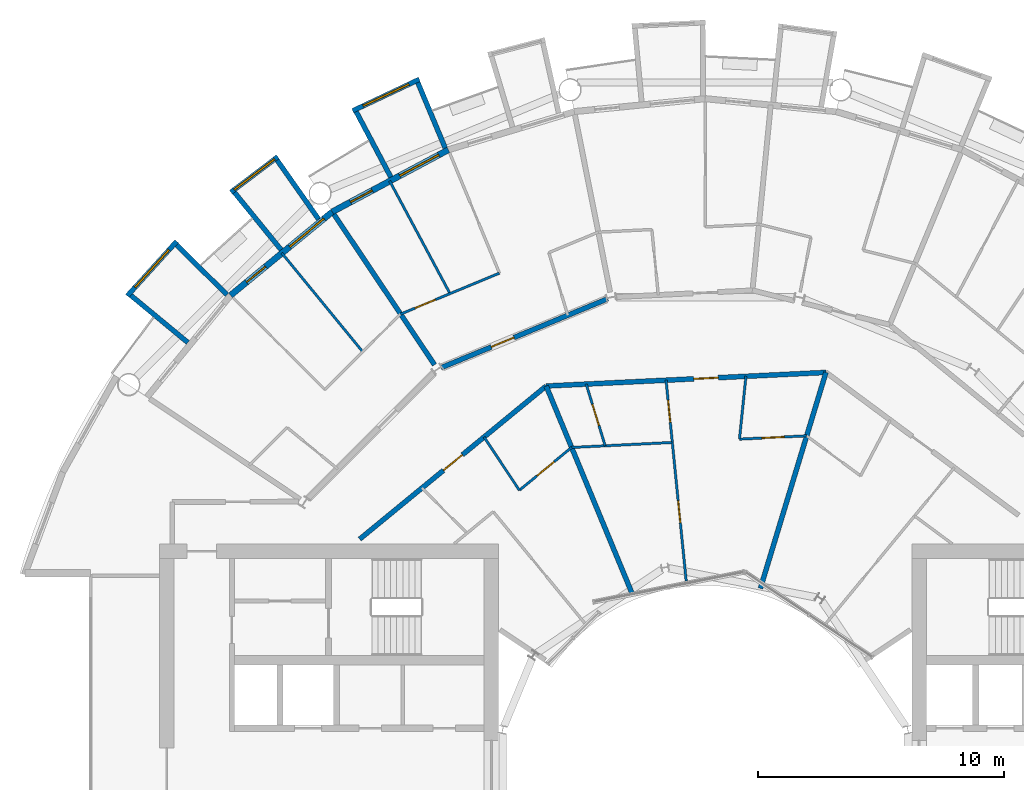
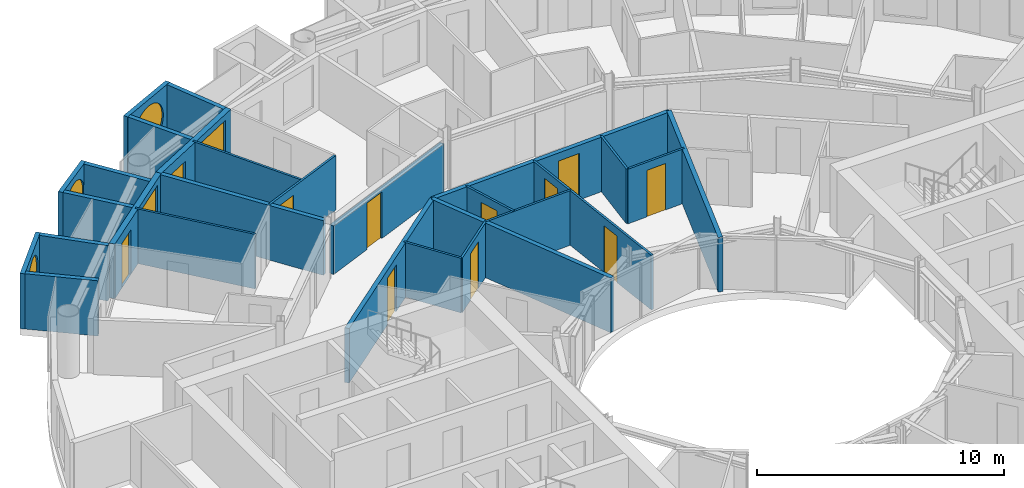
# One storey, part 20 of 27: 27 walls, 11 doors, 5 windows, 16 openings.
"""IFC4 building model written with IfcOpenShell, lengths in metres."""

import ifcopenshell
import ifcopenshell.guid

model = None  # the IFC model being written
_history = None  # IfcOwnerHistory: only IFC2X3 demands one
_inside = {}  # id of a spatial element -> (the spatial element, [elements in it])
_under = {}  # id of a project, library or spatial element -> (it, [spatial elements below it])
_declared = {}  # id of a project -> (the project, [libraries it declares])
_typed = {}  # id of a type object -> (the type object, [elements of that type])
_made_of = {}  # id of a material, layer set ... -> (it, [elements and type objects made of it])


def new_model(schema):
    """Start an empty IFC model of exactly this schema.

    Asked for "IFC4X3", IfcOpenShell would pick the latest addendum, in which some entities
    have other attributes; the version numbers below select the first issue.
    IFC2X3 requires an IfcOwnerHistory on every rooted entity: one is made here for all.
    """
    global model, _history
    if schema == "IFC4X3":
        model = ifcopenshell.file(schema_version=(4, 3, 0, 0))
    else:
        model = ifcopenshell.file(schema=schema)
    _inside.clear()
    _under.clear()
    _declared.clear()
    _typed.clear()
    _made_of.clear()
    _history = None
    if model.schema == "IFC2X3":
        org = make("IfcOrganization", Name="unknown")
        user = make(
            "IfcPersonAndOrganization",
            ThePerson=make("IfcPerson", FamilyName="unknown"),
            TheOrganization=org,
        )
        app = make(
            "IfcApplication",
            ApplicationDeveloper=org,
            Version="unknown",
            ApplicationFullName="unknown",
            ApplicationIdentifier="unknown",
        )
        _history = make(
            "IfcOwnerHistory",
            OwningUser=user,
            OwningApplication=app,
            ChangeAction="ADDED",
            CreationDate=0,
        )
    return model


def make(cls, **values):
    """One entity of the class cls with the attributes given. An attribute that is None is left unset."""
    return model.create_entity(
        cls, **{name: value for name, value in values.items() if value is not None}
    )


def rooted(cls, **values):
    """An entity with a GlobalId (a new one), such as an element, a storey or a relation."""
    return make(cls, GlobalId=ifcopenshell.guid.new(), OwnerHistory=_history, **values)


def si_unit(unit_type, name, prefix=None):
    """IfcSIUnit, for example si_unit("LENGTHUNIT", "METRE", prefix="MILLI")."""
    return make("IfcSIUnit", UnitType=unit_type, Prefix=prefix, Name=name)


def assignment(units):
    """IfcUnitAssignment: the units of a project."""
    return None if units is None else make("IfcUnitAssignment", Units=units)


def point(xyz):
    """IfcCartesianPoint."""
    return None if xyz is None else make("IfcCartesianPoint", Coordinates=xyz)


def direction(xyz):
    """IfcDirection."""
    return None if xyz is None else make("IfcDirection", DirectionRatios=xyz)


def frame(location, z_axis=None, x_axis=None):
    """IfcAxis2Placement3D, a coordinate frame: its origin and axes. An axis left out is left unset."""
    return make(
        "IfcAxis2Placement3D",
        Location=point(location),
        Axis=direction(z_axis),
        RefDirection=direction(x_axis),
    )


def frame_2d(location, x_axis=None):
    """IfcAxis2Placement2D, a coordinate frame in the plane: its origin and x axis."""
    return make(
        "IfcAxis2Placement2D", Location=point(location), RefDirection=direction(x_axis)
    )


def origin():
    """The frame at (0, 0, 0) with its axes left unset."""
    return frame((0.0, 0.0, 0.0))


def place(relative_to, where):
    """IfcLocalPlacement: puts the frame where relative to a parent placement (None: the world)."""
    return make(
        "IfcLocalPlacement", PlacementRelTo=relative_to, RelativePlacement=where
    )


def context(
    kind, dimensions, precision=None, world=None, true_north=None, identifier=None
):
    """IfcGeometricRepresentationContext, for example the 3D "Model" context."""
    return make(
        "IfcGeometricRepresentationContext",
        ContextIdentifier=identifier,
        ContextType=kind,
        CoordinateSpaceDimension=dimensions,
        Precision=precision,
        WorldCoordinateSystem=world,
        TrueNorth=true_north,
    )


def subcontext(parent, identifier, kind, view, scale=None):
    """IfcGeometricRepresentationSubContext, for example "Body" below "Model"."""
    return make(
        "IfcGeometricRepresentationSubContext",
        ContextIdentifier=identifier,
        ContextType=kind,
        ParentContext=parent,
        TargetScale=scale,
        TargetView=view,
    )


def project(units=None, contexts=None):
    """IfcProject with its units and contexts."""
    return rooted(
        "IfcProject",
        Name="project",
        RepresentationContexts=contexts,
        UnitsInContext=assignment(units),
    )


def spatial(cls, under=None, at=None, **own):
    """A site, building, storey or space (cls), placed at a placement, below another one or the project."""
    s = rooted(cls, ObjectPlacement=at, **own)
    if under is not None:
        _under.setdefault(under.id(), (under, []))[1].append(s)
    return s


def profile(cls, at=None, kind="AREA", **sizes):
    """A parametric profile (cls). Its sizes go by their IFC names, for example OverallWidth=200.0."""
    return make(cls, ProfileType=kind, Position=at, **sizes)


def rectangle(**sizes):
    """IfcRectangleProfileDef."""
    return profile("IfcRectangleProfileDef", **sizes)


def circle(**sizes):
    """IfcCircleProfileDef."""
    return profile("IfcCircleProfileDef", **sizes)


def extrude(swept, where, along, depth):
    """IfcExtrudedAreaSolid: the profile swept, set in the frame where, extruded along a direction by depth."""
    return make(
        "IfcExtrudedAreaSolid",
        SweptArea=swept,
        Position=where,
        ExtrudedDirection=direction(along),
        Depth=depth,
    )


def shape(context_of_items, identifier, shape_type, items):
    """IfcShapeRepresentation: the items that make up one representation, for example the "Body"."""
    return make(
        "IfcShapeRepresentation",
        ContextOfItems=context_of_items,
        RepresentationIdentifier=identifier,
        RepresentationType=shape_type,
        Items=items,
    )


def material(Name=None, Category=None):
    """IfcMaterial."""
    return make("IfcMaterial", Name=Name, Category=Category)


def layer(
    of_material, thickness, ventilated=None, Name=None, Category=None, Priority=None
):
    """IfcMaterialLayer: one layer of a wall or slab, of a material (None: an air gap)."""
    return make(
        "IfcMaterialLayer",
        Material=of_material,
        LayerThickness=thickness,
        IsVentilated=ventilated,
        Name=Name,
        Category=Category,
        Priority=Priority,
    )


def layer_set(layers, Name=None):
    """IfcMaterialLayerSet."""
    return make("IfcMaterialLayerSet", MaterialLayers=layers, LayerSetName=Name)


def made_of(thing, what):
    """Note that an element or type object is made of a material, layer set ...; save() writes the relation."""
    if what is not None:
        _made_of.setdefault(what.id(), (what, []))[1].append(thing)
    return thing


def type_object(cls, material=None, **own):
    """A type object (cls), such as IfcWallType, which elements share."""
    return made_of(rooted(cls, **own), material)


def element(
    cls,
    number,
    at=None,
    inside=None,
    cuts=None,
    type_object=None,
    material=None,
    context=None,
    identifier="Body",
    shape_type=None,
    held_by="IfcProductDefinitionShape",
    body=None,
    shapes=None,
    **own,
):
    """One element of the class cls, such as IfcWall. Its Tag is "e" and its number.

    at: its placement. inside: the storey or other place that contains it. cuts: it is an
    opening in that element (IfcRelVoidsElement). A single representation is given by context,
    identifier, shape_type and body (its items); several are given by shapes. held_by: the class
    of the entity that holds the representations. save() writes the other relations.
    """
    e = rooted(cls, Tag="e%d" % number, ObjectPlacement=at, **own)
    if body is not None:
        shapes = [shape(context, identifier, shape_type, body)]
    if shapes is not None:
        e.Representation = make(held_by, Representations=shapes)
    if inside is not None:
        _inside.setdefault(inside.id(), (inside, []))[1].append(e)
    if cuts is not None:
        rooted(
            "IfcRelVoidsElement", RelatingBuildingElement=cuts, RelatedOpeningElement=e
        )
    if type_object is not None:
        _typed.setdefault(type_object.id(), (type_object, []))[1].append(e)
    return made_of(e, material)


def fill(opening, filler):
    """IfcRelFillsElement: the door or window that sits in an opening."""
    return rooted(
        "IfcRelFillsElement",
        RelatingOpeningElement=opening,
        RelatedBuildingElement=filler,
    )


def aggregate(whole, parts):
    """IfcRelAggregates: a whole, such as a stair, and the parts it consists of."""
    return rooted("IfcRelAggregates", RelatingObject=whole, RelatedObjects=parts)


def save(model, path):
    """Write the relations noted so far, then the file.

    IfcRelAggregates (storeys below a building ...), IfcRelContainedInSpatialStructure (elements
    in a storey), IfcRelDefinesByType, IfcRelAssociatesMaterial and IfcRelDeclares: one each for
    every whole, place, type object, material and project.
    """
    for whole, parts in _under.values():
        aggregate(whole, parts)
    for where, things in _inside.values():
        rooted(
            "IfcRelContainedInSpatialStructure",
            RelatedElements=things,
            RelatingStructure=where,
        )
    for kind, things in _typed.values():
        rooted("IfcRelDefinesByType", RelatedObjects=things, RelatingType=kind)
    for what, things in _made_of.values():
        rooted("IfcRelAssociatesMaterial", RelatedObjects=things, RelatingMaterial=what)
    for by, libraries in _declared.values():
        rooted("IfcRelDeclares", RelatingContext=by, RelatedDefinitions=libraries)
    model.write(path)


model = new_model("IFC4")

# Units and contexts
model_context = context("Model", 3, precision=1e-05, world=origin(), true_north=direction((0.0, 1.0)))
body_context = subcontext(model_context, "Body", "Model", "MODEL_VIEW")
ifc_project = project(units=[si_unit("LENGTHUNIT", "METRE"), si_unit("AREAUNIT", "SQUARE_METRE"), si_unit("VOLUMEUNIT", "CUBIC_METRE"), si_unit("PLANEANGLEUNIT", "RADIAN"), si_unit("MASSUNIT", "GRAM", prefix="KILO")], contexts=[model_context])

# Site, building, storey
site_placement = place(None, origin())
site = spatial("IfcSite", under=ifc_project, at=site_placement, CompositionType="ELEMENT")
building_placement = place(site_placement, origin())
building = spatial("IfcBuilding", under=site, at=building_placement, Name="Maasbend Ring Residences", CompositionType="ELEMENT")
storey_placement = place(building_placement, frame((0.0, 0.0, 114.699951171875)))
storey = spatial("IfcBuildingStorey", under=building, at=storey_placement, Name="L32", CompositionType="ELEMENT", Elevation=114.699951171875)

# Wall, opening, door
ifc_material_1 = material(Name="Concrete C30/37", Category="concrete")
ifc_layer_1 = layer(ifc_material_1, 0.199951171875)
ifc_layer_set_1 = layer_set([ifc_layer_1], Name="Concrete C30/37")
wall_type_1 = type_object("IfcWallType", Name="CORRIDOR WALL 200 CONCRETE", PredefinedType="PARTITIONING", material=ifc_layer_set_1)
wall_1_placement = place(storey_placement, frame((-6.467041015625, 15.614013671875, 0.0), z_axis=(0.0, 0.0, 1.0), x_axis=(0.998821060576, 0.048543680847, 0.0)))
wall_1 = element("IfcWall", 1, at=wall_1_placement, inside=storey, type_object=wall_type_1, Name="U-L32-w096", PredefinedType="PARTITIONING", context=body_context, shape_type="SweptSolid", body=[
    extrude(rectangle(XDim=11.391357421875, YDim=0.199951171875, at=frame_2d((5.69580078125, 0.0))), origin(), (0.0, 0.0, 1.0), 2.699951171875),
])
opening_1_placement = place(wall_1_placement, frame((6.007080078125, 0.0, 0.0)))
opening_1 = element("IfcOpeningElement", 2, at=opening_1_placement, cuts=wall_1, Name="Opening D-3225", PredefinedType="OPENING", context=body_context, shape_type="SweptSolid", body=[
    extrude(rectangle(XDim=1.0, YDim=2.300048828125, at=frame_2d((0.5, 1.14990234375))), frame((0.0, 0.10986328125, 0.0), z_axis=(0.0, -1.0, 0.0), x_axis=(1.0, 0.0, 0.0)), (0.0, 0.0, 1.0), 0.219970703125),
])
ifc_material_2 = material(Name="Timber, fire-rated, painted", Category="wood")
door_type_1 = type_object("IfcDoorType", Name="FLAT ENTRANCE DOOR 1000 X 2300 FIRE-RATED", OperationType="NOTDEFINED", PredefinedType="DOOR", material=ifc_material_2)
door_1_placement = place(opening_1_placement, origin())
door_1 = element("IfcDoor", 3, at=door_1_placement, inside=storey, type_object=door_type_1, Name="D-3225", OperationType="SINGLE_SWING_RIGHT", OverallHeight=2.300048828125, OverallWidth=1.0, PredefinedType="DOOR", context=body_context, shape_type="SweptSolid", body=[
    extrude(rectangle(XDim=1.0, YDim=2.300048828125, at=frame_2d((0.5, 1.14990234375))), frame((0.0, 0.02490234375, 0.0), z_axis=(0.0, -1.0, 0.0), x_axis=(1.0, 0.0, 0.0)), (0.0, 0.0, 1.0), 0.050048828125),
])
fill(opening_1, door_1)

wall_2_placement = place(storey_placement, frame((-14.052001953125, 9.388916015625, 0.0), z_axis=(0.0, 0.0, 1.0), x_axis=(0.77292501819, 0.634497372931, 0.0)))
wall_2 = element("IfcWall", 4, at=wall_2_placement, inside=storey, type_object=wall_type_1, Name="U-L32-w098", PredefinedType="PARTITIONING", context=body_context, shape_type="SweptSolid", body=[
    extrude(rectangle(XDim=9.8095703125, YDim=0.199951171875, at=frame_2d((4.90478515625, 0.0))), origin(), (0.0, 0.0, 1.0), 2.699951171875),
])
opening_2_placement = place(wall_2_placement, frame((4.406005859375, 0.0, 0.0)))
opening_2 = element("IfcOpeningElement", 5, at=opening_2_placement, cuts=wall_2, Name="Opening D-3230", PredefinedType="OPENING", context=body_context, shape_type="SweptSolid", body=[
    extrude(rectangle(XDim=1.0, YDim=2.300048828125, at=frame_2d((0.5, 1.14990234375))), frame((0.0, 0.10986328125, 0.0), z_axis=(0.0, -1.0, 0.0), x_axis=(1.0, 0.0, 0.0)), (0.0, 0.0, 1.0), 0.219970703125),
])
door_2_placement = place(opening_2_placement, origin())
door_2 = element("IfcDoor", 6, at=door_2_placement, inside=storey, type_object=door_type_1, Name="D-3230", OperationType="SINGLE_SWING_RIGHT", OverallHeight=2.300048828125, OverallWidth=1.0, PredefinedType="DOOR", context=body_context, shape_type="SweptSolid", body=[
    extrude(rectangle(XDim=1.0, YDim=2.300048828125, at=frame_2d((0.5, 1.14990234375))), frame((0.0, 0.02490234375, 0.0), z_axis=(0.0, -1.0, 0.0), x_axis=(1.0, 0.0, 0.0)), (0.0, 0.0, 1.0), 0.050048828125),
])
fill(opening_2, door_2)

wall_3_placement = place(storey_placement, frame((-10.7451171875, 16.35693359375, 0.0), z_axis=(0.0, 0.0, 1.0), x_axis=(0.923928411035, 0.382565407848, 0.0)))
wall_3 = element("IfcWall", 7, at=wall_3_placement, inside=storey, type_object=wall_type_1, Name="U-L32-w101", PredefinedType="PARTITIONING", context=body_context, shape_type="SweptSolid", body=[
    extrude(rectangle(XDim=7.335205078125, YDim=0.199951171875, at=frame_2d((3.66748046875, 0.0))), origin(), (0.0, 0.0, 1.0), 2.39013671875),
])
opening_3_placement = place(wall_3_placement, frame((2.2119140625, 0.0, 0.0)))
opening_3 = element("IfcOpeningElement", 8, at=opening_3_placement, cuts=wall_3, Name="Opening D-3213", PredefinedType="OPENING", context=body_context, shape_type="SweptSolid", body=[
    extrude(rectangle(XDim=1.0, YDim=2.300048828125, at=frame_2d((0.5, 1.14990234375))), frame((0.0, 0.10986328125, 0.0), z_axis=(0.0, -1.0, 0.0), x_axis=(1.0, 0.0, 0.0)), (0.0, 0.0, 1.0), 0.219970703125),
])
door_3_placement = place(opening_3_placement, origin())
door_3 = element("IfcDoor", 9, at=door_3_placement, inside=storey, type_object=door_type_1, Name="D-3213", OperationType="SINGLE_SWING_LEFT", OverallHeight=2.300048828125, OverallWidth=1.0, PredefinedType="DOOR", context=body_context, shape_type="SweptSolid", body=[
    extrude(rectangle(XDim=1.0, YDim=2.300048828125, at=frame_2d((0.5, 1.14990234375))), frame((0.0, 0.02490234375, 0.0), z_axis=(0.0, -1.0, 0.0), x_axis=(1.0, 0.0, 0.0)), (0.0, 0.0, 1.0), 0.050048828125),
])
fill(opening_3, door_3)

# Wall, opening, window
ifc_material_3 = material(Name="Pale anodised aluminium panel", Category="aluminium")
ifc_layer_2 = layer(ifc_material_3, 0.199951171875)
ifc_layer_set_2 = layer_set([ifc_layer_2], Name="EW-BOX")
wall_type_2 = type_object("IfcWallType", Name="EW-BOX", PredefinedType="SOLIDWALL", material=ifc_layer_set_2)
wall_4_placement = place(storey_placement, frame((-11.62890625, 28.087890625, -0.030029296875), z_axis=(0.0, 0.0, 1.0), x_axis=(-0.904000060331, -0.427532327342, 0.0)))
wall_4 = element("IfcWall", 10, at=wall_4_placement, inside=storey, type_object=wall_type_2, Name="Box front N15", PredefinedType="SOLIDWALL", context=body_context, shape_type="SweptSolid", body=[
    extrude(rectangle(XDim=2.993408203125, YDim=0.199951171875, at=frame_2d((1.49658203125, 0.0))), origin(), (0.0, 0.0, 1.0), 2.72998046875),
])
opening_4_placement = place(wall_4_placement, frame((0.45654296875, 0.0, 0.330078125)))
opening_4 = element("IfcOpeningElement", 11, at=opening_4_placement, cuts=wall_4, Name="Opening W-RD", PredefinedType="OPENING", context=body_context, shape_type="SweptSolid", body=[
    extrude(circle(Radius=1.0400390625, at=frame_2d((1.0400390625, 1.0400390625))), frame((0.0, 0.10986328125, 0.0), z_axis=(0.0, -1.0, 0.0), x_axis=(1.0, 0.0, 0.0)), (0.0, 0.0, 1.0), 0.219970703125),
])
ifc_material_4 = material(Name="Aluminium and clear glass", Category="aluminium")
window_type_1 = type_object("IfcWindowType", Name="W-RD", PartitioningType="SINGLE_PANEL", PredefinedType="WINDOW", material=ifc_material_4)
window_1_placement = place(opening_4_placement, origin())
window_1 = element("IfcWindow", 12, at=window_1_placement, inside=storey, type_object=window_type_1, Name="Round window N15", OverallHeight=2.080078125, OverallWidth=2.080078125, PartitioningType="SINGLE_PANEL", PredefinedType="WINDOW", context=body_context, shape_type="SweptSolid", body=[
    extrude(circle(Radius=1.0400390625, at=frame_2d((1.0400390625, 1.0400390625))), frame((0.0, 0.030029296875, 0.0), z_axis=(0.0, -1.0, 0.0), x_axis=(1.0, 0.0, 0.0)), (0.0, 0.0, 1.0), 0.06005859375),
])
fill(opening_4, window_1)

# Walls
wall_5_placement = place(storey_placement, frame((-10.574951171875, 25.294921875, -0.030029296875), z_axis=(0.0, 0.0, 1.0), x_axis=(-0.385697364644, 0.922625353492, 0.0)))
element("IfcWall", 13, at=wall_5_placement, inside=storey, type_object=wall_type_2, Name="Box side wall N15 left", PredefinedType="SOLIDWALL", context=body_context, shape_type="SweptSolid", body=[
    extrude(rectangle(XDim=2.88330078125, YDim=0.199951171875, at=frame_2d((1.441650390625, 0.0))), origin(), (0.0, 0.0, 1.0), 2.72998046875),
])
wall_6_placement = place(storey_placement, frame((-12.787109375, 24.113037109375, -0.030029296875), z_axis=(0.0, 0.0, 1.0), x_axis=(-0.468365282436, 0.883534924159, 0.0)))
element("IfcWall", 14, at=wall_6_placement, inside=storey, type_object=wall_type_2, Name="Box side wall N15 right", PredefinedType="SOLIDWALL", context=body_context, shape_type="SweptSolid", body=[
    extrude(rectangle(XDim=3.006103515625, YDim=0.199951171875, at=frame_2d((1.5029296875, 0.0))), origin(), (0.0, 0.0, 1.0), 2.72998046875),
])

# Wall, opening, window
wall_7_placement = place(storey_placement, frame((-17.382080078125, 24.93994140625, -0.030029296875), z_axis=(0.0, 0.0, 1.0), x_axis=(-0.797456837111, -0.603375996329, 0.0)))
wall_7 = element("IfcWall", 15, at=wall_7_placement, inside=storey, type_object=wall_type_2, Name="Box front N17", PredefinedType="SOLIDWALL", context=body_context, shape_type="SweptSolid", body=[
    extrude(rectangle(XDim=2.391357421875, YDim=0.199951171875, at=frame_2d((1.19580078125, 0.0))), origin(), (0.0, 0.0, 1.0), 2.72998046875),
])
opening_5_placement = place(wall_7_placement, frame((0.15576171875, 0.0, 0.330078125)))
opening_5 = element("IfcOpeningElement", 16, at=opening_5_placement, cuts=wall_7, Name="Opening W-RD", PredefinedType="OPENING", context=body_context, shape_type="SweptSolid", body=[
    extrude(circle(Radius=1.0400390625, at=frame_2d((1.0400390625, 1.0400390625))), frame((0.0, 0.10986328125, 0.0), z_axis=(0.0, -1.0, 0.0), x_axis=(1.0, 0.0, 0.0)), (0.0, 0.0, 1.0), 0.219970703125),
])
window_2_placement = place(opening_5_placement, origin())
window_2 = element("IfcWindow", 17, at=window_2_placement, inside=storey, type_object=window_type_1, Name="Round window N17", OverallHeight=2.080078125, OverallWidth=2.080078125, PartitioningType="SINGLE_PANEL", PredefinedType="WINDOW", context=body_context, shape_type="SweptSolid", body=[
    extrude(circle(Radius=1.0400390625, at=frame_2d((1.0400390625, 1.0400390625))), frame((0.0, 0.030029296875, 0.0), z_axis=(0.0, -1.0, 0.0), x_axis=(1.0, 0.0, 0.0)), (0.0, 0.0, 1.0), 0.06005859375),
])
fill(opening_5, window_2)

# Walls
wall_8_placement = place(storey_placement, frame((-15.72607421875, 22.402099609375, -0.030029296875), z_axis=(0.0, 0.0, 1.0), x_axis=(-0.574826383135, 0.818275399393, 0.0)))
element("IfcWall", 18, at=wall_8_placement, inside=storey, type_object=wall_type_2, Name="Box side wall N17 left", PredefinedType="SOLIDWALL", context=body_context, shape_type="SweptSolid", body=[
    extrude(rectangle(XDim=2.92919921875, YDim=0.199951171875, at=frame_2d((1.464599609375, 0.0))), origin(), (0.0, 0.0, 1.0), 2.72998046875),
])
wall_9_placement = place(storey_placement, frame((-17.24609375, 21.155029296875, -0.030029296875), z_axis=(0.0, 0.0, 1.0), x_axis=(-0.631741648902, 0.775179004516, 0.0)))
element("IfcWall", 19, at=wall_9_placement, inside=storey, type_object=wall_type_2, Name="Box side wall N17 right", PredefinedType="SOLIDWALL", context=body_context, shape_type="SweptSolid", body=[
    extrude(rectangle(XDim=3.005859375, YDim=0.199951171875, at=frame_2d((1.5029296875, 0.0))), origin(), (0.0, 0.0, 1.0), 2.72998046875),
])

# Wall, opening, window
wall_10_placement = place(storey_placement, frame((-21.492919921875, 21.5, -0.030029296875), z_axis=(0.0, 0.0, 1.0), x_axis=(-0.671506829416, -0.740998365753, 0.0)))
wall_10 = element("IfcWall", 20, at=wall_10_placement, inside=storey, type_object=wall_type_2, Name="Box front N19", PredefinedType="SOLIDWALL", context=body_context, shape_type="SweptSolid", body=[
    extrude(rectangle(XDim=2.9931640625, YDim=0.199951171875, at=frame_2d((1.49658203125, 0.0))), origin(), (0.0, 0.0, 1.0), 2.72998046875),
])
opening_6_placement = place(wall_10_placement, frame((0.45654296875, 0.0, 0.330078125)))
opening_6 = element("IfcOpeningElement", 21, at=opening_6_placement, cuts=wall_10, Name="Opening W-RD", PredefinedType="OPENING", context=body_context, shape_type="SweptSolid", body=[
    extrude(circle(Radius=1.0400390625, at=frame_2d((1.0400390625, 1.0400390625))), frame((0.0, 0.10986328125, 0.0), z_axis=(0.0, -1.0, 0.0), x_axis=(1.0, 0.0, 0.0)), (0.0, 0.0, 1.0), 0.219970703125),
])
window_3_placement = place(opening_6_placement, origin())
window_3 = element("IfcWindow", 22, at=window_3_placement, inside=storey, type_object=window_type_1, Name="Round window N19", OverallHeight=2.080078125, OverallWidth=2.080078125, PartitioningType="SINGLE_PANEL", PredefinedType="WINDOW", context=body_context, shape_type="SweptSolid", body=[
    extrude(circle(Radius=1.0400390625, at=frame_2d((1.0400390625, 1.0400390625))), frame((0.0, 0.030029296875, 0.0), z_axis=(0.0, -1.0, 0.0), x_axis=(1.0, 0.0, 0.0)), (0.0, 0.0, 1.0), 0.06005859375),
])
fill(opening_6, window_3)

# Walls
wall_11_placement = place(storey_placement, frame((-19.449951171875, 19.322998046875, -0.030029296875), z_axis=(0.0, 0.0, 1.0), x_axis=(-0.709727076896, 0.704476739375, 0.0)))
element("IfcWall", 23, at=wall_11_placement, inside=storey, type_object=wall_type_2, Name="Box side wall N19 left", PredefinedType="SOLIDWALL", context=body_context, shape_type="SweptSolid", body=[
    extrude(rectangle(XDim=2.883056640625, YDim=0.199951171875, at=frame_2d((1.44140625, 0.0))), origin(), (0.0, 0.0, 1.0), 2.72998046875),
])
wall_12_placement = place(storey_placement, frame((-21.041015625, 17.384033203125, -0.030029296875), z_axis=(0.0, 0.0, 1.0), x_axis=(-0.770784861449, 0.63709551667, 0.0)))
element("IfcWall", 24, at=wall_12_placement, inside=storey, type_object=wall_type_2, Name="Box side wall N19 right", PredefinedType="SOLIDWALL", context=body_context, shape_type="SweptSolid", body=[
    extrude(rectangle(XDim=3.005859375, YDim=0.199951171875, at=frame_2d((1.5029296875, 0.0))), origin(), (0.0, 0.0, 1.0), 2.72998046875),
])

# Wall, openings, door, window
ifc_material_5 = material(Name="Aluminium clad insulated panel", Category="aluminium")
ifc_layer_3 = layer(ifc_material_5, 0.25)
ifc_layer_set_3 = layer_set([ifc_layer_3], Name="EW-GL")
wall_type_3 = type_object("IfcWallType", Name="EW-GL", PredefinedType="SOLIDWALL", material=ifc_layer_set_3)
wall_13_placement = place(storey_placement, frame((-10.447021484375, 25.221923828125, 0.0), z_axis=(0.0, 0.0, 1.0), x_axis=(-0.881915646801, -0.471407246368, 0.0)))
wall_13 = element("IfcWall", 25, at=wall_13_placement, inside=storey, type_object=wall_type_3, Name="External wall N08", PredefinedType="SOLIDWALL", context=body_context, shape_type="SweptSolid", body=[
    extrude(rectangle(XDim=5.35205078125, YDim=0.25, at=frame_2d((2.676025390625, 0.0))), origin(), (0.0, 0.0, 1.0), 2.699951171875),
])
opening_7_placement = place(wall_13_placement, frame((0.441162109375, 0.0, 0.300048828125)))
opening_7 = element("IfcOpeningElement", 26, at=opening_7_placement, cuts=wall_13, Name="Opening W-BX", PredefinedType="OPENING", context=body_context, shape_type="SweptSolid", body=[
    extrude(rectangle(XDim=1.800048828125, YDim=2.10009765625, at=frame_2d((0.89990234375, 1.050048828125))), frame((0.0, 0.135009765625, 0.0), z_axis=(0.0, -1.0, 0.0), x_axis=(1.0, 0.0, 0.0)), (0.0, 0.0, 1.0), 0.27001953125),
])
opening_8_placement = place(wall_13_placement, frame((3.510498046875, 0.0, 0.0)))
opening_8 = element("IfcOpeningElement", 27, at=opening_8_placement, cuts=wall_13, Name="Opening D-LG", PredefinedType="OPENING", context=body_context, shape_type="SweptSolid", body=[
    extrude(rectangle(XDim=1.0, YDim=2.199951171875, at=frame_2d((0.5, 1.10009765625))), frame((0.0, 0.135009765625, 0.0), z_axis=(0.0, -1.0, 0.0), x_axis=(1.0, 0.0, 0.0)), (0.0, 0.0, 1.0), 0.27001953125),
])
ifc_material_6 = material(Name="Aluminium and clear glass", Category="aluminium")
door_type_2 = type_object("IfcDoorType", Name="D-LG", OperationType="SINGLE_SWING_LEFT", PredefinedType="DOOR", material=ifc_material_6)
door_4_placement = place(opening_8_placement, origin())
door_4 = element("IfcDoor", 28, at=door_4_placement, inside=storey, type_object=door_type_2, Name="Loggia door N16", OperationType="SINGLE_SWING_LEFT", OverallHeight=2.199951171875, OverallWidth=1.0, PredefinedType="DOOR", context=body_context, shape_type="SweptSolid", body=[
    extrude(rectangle(XDim=1.0, YDim=2.199951171875, at=frame_2d((0.5, 1.10009765625))), frame((0.0, 0.02490234375, 0.0), z_axis=(0.0, -1.0, 0.0), x_axis=(1.0, 0.0, 0.0)), (0.0, 0.0, 1.0), 0.050048828125),
])
fill(opening_8, door_4)
ifc_material_7 = material(Name="Aluminium and clear glass", Category="aluminium")
window_type_2 = type_object("IfcWindowType", Name="W-BX", PartitioningType="DOUBLE_PANEL_VERTICAL", PredefinedType="WINDOW", material=ifc_material_7)
window_4_placement = place(opening_7_placement, origin())
window_4 = element("IfcWindow", 29, at=window_4_placement, inside=storey, type_object=window_type_2, Name="Window N15 room to box", OverallHeight=2.10009765625, OverallWidth=1.800048828125, PartitioningType="SINGLE_PANEL", PredefinedType="WINDOW", context=body_context, shape_type="SweptSolid", body=[
    extrude(rectangle(XDim=1.800048828125, YDim=2.10009765625, at=frame_2d((0.89990234375, 1.050048828125))), frame((0.0, 0.030029296875, 0.0), z_axis=(0.0, -1.0, 0.0), x_axis=(1.0, 0.0, 0.0)), (0.0, 0.0, 1.0), 0.06005859375),
])
fill(opening_7, window_4)

wall_14_placement = place(storey_placement, frame((-15.1669921875, 22.698974609375, 0.0), z_axis=(0.0, 0.0, 1.0), x_axis=(-0.773019449054, -0.634382322723, 0.0)))
wall_14 = element("IfcWall", 30, at=wall_14_placement, inside=storey, type_object=wall_type_3, Name="External wall N09", PredefinedType="SOLIDWALL", context=body_context, shape_type="SweptSolid", body=[
    extrude(rectangle(XDim=5.351806640625, YDim=0.25, at=frame_2d((2.67578125, 0.0))), origin(), (0.0, 0.0, 1.0), 2.699951171875),
])
opening_9_placement = place(wall_14_placement, frame((0.441162109375, 0.0, 0.300048828125)))
opening_9 = element("IfcOpeningElement", 31, at=opening_9_placement, cuts=wall_14, Name="Opening W-BX", PredefinedType="OPENING", context=body_context, shape_type="SweptSolid", body=[
    extrude(rectangle(XDim=1.800048828125, YDim=2.10009765625, at=frame_2d((0.89990234375, 1.050048828125))), frame((0.0, 0.135009765625, 0.0), z_axis=(0.0, -1.0, 0.0), x_axis=(1.0, 0.0, 0.0)), (0.0, 0.0, 1.0), 0.27001953125),
])
opening_10_placement = place(wall_14_placement, frame((3.510498046875, 0.0, 0.0)))
opening_10 = element("IfcOpeningElement", 32, at=opening_10_placement, cuts=wall_14, Name="Opening D-LG", PredefinedType="OPENING", context=body_context, shape_type="SweptSolid", body=[
    extrude(rectangle(XDim=1.0, YDim=2.199951171875, at=frame_2d((0.5, 1.10009765625))), frame((0.0, 0.135009765625, 0.0), z_axis=(0.0, -1.0, 0.0), x_axis=(1.0, 0.0, 0.0)), (0.0, 0.0, 1.0), 0.27001953125),
])
door_5_placement = place(opening_10_placement, origin())
door_5 = element("IfcDoor", 33, at=door_5_placement, inside=storey, type_object=door_type_2, Name="Loggia door N18", OperationType="SINGLE_SWING_LEFT", OverallHeight=2.199951171875, OverallWidth=1.0, PredefinedType="DOOR", context=body_context, shape_type="SweptSolid", body=[
    extrude(rectangle(XDim=1.0, YDim=2.199951171875, at=frame_2d((0.5, 1.10009765625))), frame((0.0, 0.02490234375, 0.0), z_axis=(0.0, -1.0, 0.0), x_axis=(1.0, 0.0, 0.0)), (0.0, 0.0, 1.0), 0.050048828125),
])
fill(opening_10, door_5)
window_5_placement = place(opening_9_placement, origin())
window_5 = element("IfcWindow", 34, at=window_5_placement, inside=storey, type_object=window_type_2, Name="Window N17 room to box", OverallHeight=2.10009765625, OverallWidth=1.800048828125, PartitioningType="SINGLE_PANEL", PredefinedType="WINDOW", context=body_context, shape_type="SweptSolid", body=[
    extrude(rectangle(XDim=1.800048828125, YDim=2.10009765625, at=frame_2d((0.89990234375, 1.050048828125))), frame((0.0, 0.030029296875, 0.0), z_axis=(0.0, -1.0, 0.0), x_axis=(1.0, 0.0, 0.0)), (0.0, 0.0, 1.0), 0.06005859375),
])
fill(opening_9, window_5)

# Walls
ifc_material_8 = material(Name="Gypsum board on steel studs", Category="steel")
ifc_layer_4 = layer(ifc_material_8, 0.10009765625)
ifc_layer_set_4 = layer_set([ifc_layer_4], Name="PARTITION 100 GYPSUM")
wall_type_4 = type_object("IfcWallType", Name="PARTITION 100 GYPSUM", PredefinedType="PARTITIONING", material=ifc_layer_set_4)
wall_15_placement = place(storey_placement, frame((-17.219970703125, 21.02294921875, 0.0), z_axis=(0.0, 0.0, 1.0), x_axis=(0.633774976367, -0.773517471898, 0.0)))
element("IfcWall", 35, at=wall_15_placement, inside=storey, type_object=wall_type_4, Name="U-L32-w033", PredefinedType="PARTITIONING", context=body_context, shape_type="SweptSolid", body=[
    extrude(rectangle(XDim=5.19580078125, YDim=0.10009765625, at=frame_2d((2.597900390625, 0.0))), origin(), (0.0, 0.0, 1.0), 2.699951171875),
])
wall_16_placement = place(storey_placement, frame((-12.8330078125, 23.9541015625, 0.0), z_axis=(0.0, 0.0, 1.0), x_axis=(0.472148388886, -0.881519085938, 0.0)))
element("IfcWall", 36, at=wall_16_placement, inside=storey, type_object=wall_type_4, Name="U-L32-w038", PredefinedType="PARTITIONING", context=body_context, shape_type="SweptSolid", body=[
    extrude(rectangle(XDim=5.195556640625, YDim=0.10009765625, at=frame_2d((2.59765625, 0.0))), origin(), (0.0, 0.0, 1.0), 2.699951171875),
])
wall_17_placement = place(storey_placement, frame((-8.99609375, 13.5390625, 0.0), z_axis=(0.0, 0.0, 1.0), x_axis=(0.553615197403, -0.83277260594, 0.0)))
element("IfcWall", 37, at=wall_17_placement, inside=storey, type_object=wall_type_4, Name="U-L32-w045", PredefinedType="PARTITIONING", context=body_context, shape_type="SweptSolid", body=[
    extrude(rectangle(XDim=2.597412109375, YDim=0.10009765625, at=frame_2d((1.298828125, 0.0))), origin(), (0.0, 0.0, 1.0), 2.699951171875),
])

# Wall, opening, door
wall_18_placement = place(storey_placement, frame((-4.843017578125, 15.693115234375, 0.0), z_axis=(0.0, 0.0, 1.0), x_axis=(0.294961884541, -0.955509019669, 0.0)))
wall_18 = element("IfcWall", 38, at=wall_18_placement, inside=storey, type_object=wall_type_4, Name="U-L32-w053", PredefinedType="PARTITIONING", context=body_context, shape_type="SweptSolid", body=[
    extrude(rectangle(XDim=2.623779296875, YDim=0.10009765625, at=frame_2d((1.31201171875, 0.0))), origin(), (0.0, 0.0, 1.0), 2.699951171875),
])
opening_11_placement = place(wall_18_placement, frame((0.862060546875, 0.0, 0.0)))
opening_11 = element("IfcOpeningElement", 39, at=opening_11_placement, cuts=wall_18, Name="Opening D-3228", PredefinedType="OPENING", context=body_context, shape_type="SweptSolid", body=[
    extrude(rectangle(XDim=0.89990234375, YDim=2.300048828125, at=frame_2d((0.449951171875, 1.14990234375))), frame((0.0, 0.06005859375, 0.0), z_axis=(0.0, -1.0, 0.0), x_axis=(1.0, 0.0, 0.0)), (0.0, 0.0, 1.0), 0.1201171875),
])
ifc_material_9 = material(Name="Timber, painted", Category="wood")
door_type_3 = type_object("IfcDoorType", Name="INTERNAL DOOR 900 X 2300", OperationType="NOTDEFINED", PredefinedType="DOOR", material=ifc_material_9)
door_6_placement = place(opening_11_placement, origin())
door_6 = element("IfcDoor", 40, at=door_6_placement, inside=storey, type_object=door_type_3, Name="D-3228", OperationType="SINGLE_SWING_RIGHT", OverallHeight=2.300048828125, OverallWidth=0.89990234375, PredefinedType="DOOR", context=body_context, shape_type="SweptSolid", body=[
    extrude(rectangle(XDim=0.89990234375, YDim=2.300048828125, at=frame_2d((0.449951171875, 1.14990234375))), frame((0.0, 0.02490234375, 0.0), z_axis=(0.0, -1.0, 0.0), x_axis=(1.0, 0.0, 0.0)), (0.0, 0.0, 1.0), 0.050048828125),
])
fill(opening_11, door_6)

# Wall, openings, doors
wall_19_placement = place(storey_placement, frame((-1.593017578125, 15.85302734375, 0.0), z_axis=(0.0, 0.0, 1.0), x_axis=(0.099730339513, -0.995014502096, 0.0)))
wall_19 = element("IfcWall", 41, at=wall_19_placement, inside=storey, type_object=wall_type_4, Name="U-L32-w056", PredefinedType="PARTITIONING", context=body_context, shape_type="SweptSolid", body=[
    extrude(rectangle(XDim=8.213134765625, YDim=0.10009765625, at=frame_2d((4.1064453125, 0.0))), origin(), (0.0, 0.0, 1.0), 2.699951171875),
])
opening_12_placement = place(wall_19_placement, frame((0.822998046875, 0.0, 0.0)))
opening_12 = element("IfcOpeningElement", 42, at=opening_12_placement, cuts=wall_19, Name="Opening D-3227", PredefinedType="OPENING", context=body_context, shape_type="SweptSolid", body=[
    extrude(rectangle(XDim=0.89990234375, YDim=2.300048828125, at=frame_2d((0.449951171875, 1.14990234375))), frame((0.0, 0.06005859375, 0.0), z_axis=(0.0, -1.0, 0.0), x_axis=(1.0, 0.0, 0.0)), (0.0, 0.0, 1.0), 0.1201171875),
])
opening_13_placement = place(wall_19_placement, frame((4.928955078125, 0.0, 0.0)))
opening_13 = element("IfcOpeningElement", 43, at=opening_13_placement, cuts=wall_19, Name="Opening D-3229", PredefinedType="OPENING", context=body_context, shape_type="SweptSolid", body=[
    extrude(rectangle(XDim=0.89990234375, YDim=2.300048828125, at=frame_2d((0.449951171875, 1.14990234375))), frame((0.0, 0.06005859375, 0.0), z_axis=(0.0, -1.0, 0.0), x_axis=(1.0, 0.0, 0.0)), (0.0, 0.0, 1.0), 0.1201171875),
])
door_7_placement = place(opening_12_placement, origin())
door_7 = element("IfcDoor", 44, at=door_7_placement, inside=storey, type_object=door_type_3, Name="D-3227", OperationType="SINGLE_SWING_LEFT", OverallHeight=2.300048828125, OverallWidth=0.89990234375, PredefinedType="DOOR", context=body_context, shape_type="SweptSolid", body=[
    extrude(rectangle(XDim=0.89990234375, YDim=2.300048828125, at=frame_2d((0.449951171875, 1.14990234375))), frame((0.0, 0.02490234375, 0.0), z_axis=(0.0, -1.0, 0.0), x_axis=(1.0, 0.0, 0.0)), (0.0, 0.0, 1.0), 0.050048828125),
])
fill(opening_12, door_7)
door_8_placement = place(opening_13_placement, origin())
door_8 = element("IfcDoor", 45, at=door_8_placement, inside=storey, type_object=door_type_3, Name="D-3229", OperationType="SINGLE_SWING_RIGHT", OverallHeight=2.300048828125, OverallWidth=0.89990234375, PredefinedType="DOOR", context=body_context, shape_type="SweptSolid", body=[
    extrude(rectangle(XDim=0.89990234375, YDim=2.300048828125, at=frame_2d((0.449951171875, 1.14990234375))), frame((0.0, 0.02490234375, 0.0), z_axis=(0.0, -1.0, 0.0), x_axis=(1.0, 0.0, 0.0)), (0.0, 0.0, 1.0), 0.050048828125),
])
fill(opening_13, door_8)

# Walls
wall_20_placement = place(storey_placement, frame((1.39208984375, 13.4541015625, 0.0), z_axis=(0.0, 0.0, 1.0), x_axis=(0.102594773028, 0.994723234145, 0.0)))
element("IfcWall", 46, at=wall_20_placement, inside=storey, type_object=wall_type_4, Name="U-L32-w060", PredefinedType="PARTITIONING", context=body_context, shape_type="SweptSolid", body=[
    extrude(rectangle(XDim=2.572509765625, YDim=0.10009765625, at=frame_2d((1.2861328125, 0.0))), origin(), (0.0, 0.0, 1.0), 2.699951171875),
])
wall_21_placement = place(storey_placement, frame((-5.43896484375, 13.115966796875, 0.0), z_axis=(0.0, 0.0, 1.0), x_axis=(0.998772010578, 0.049542616872, 0.0)))
element("IfcWall", 47, at=wall_21_placement, inside=storey, type_object=wall_type_4, Name="U-L32-w090", PredefinedType="PARTITIONING", context=body_context, shape_type="SweptSolid", body=[
    extrude(rectangle(XDim=4.10009765625, YDim=0.10009765625, at=frame_2d((2.050048828125, 0.0))), origin(), (0.0, 0.0, 1.0), 2.699951171875),
])

# Wall, opening, door
wall_22_placement = place(storey_placement, frame((1.39208984375, 13.4541015625, 0.0), z_axis=(0.0, 0.0, 1.0), x_axis=(0.998779365748, 0.049394114582, 0.0)))
wall_22 = element("IfcWall", 48, at=wall_22_placement, inside=storey, type_object=wall_type_4, Name="U-L32-w091", PredefinedType="PARTITIONING", context=body_context, shape_type="SweptSolid", body=[
    extrude(rectangle(XDim=2.7333984375, YDim=0.10009765625, at=frame_2d((1.36669921875, 0.0))), origin(), (0.0, 0.0, 1.0), 2.699951171875),
])
opening_14_placement = place(wall_22_placement, frame((0.9169921875, 0.0, 0.0)))
opening_14 = element("IfcOpeningElement", 49, at=opening_14_placement, cuts=wall_22, Name="Opening D-3226", PredefinedType="OPENING", context=body_context, shape_type="SweptSolid", body=[
    extrude(rectangle(XDim=0.89990234375, YDim=2.300048828125, at=frame_2d((0.449951171875, 1.14990234375))), frame((0.0, 0.06005859375, 0.0), z_axis=(0.0, -1.0, 0.0), x_axis=(1.0, 0.0, 0.0)), (0.0, 0.0, 1.0), 0.1201171875),
])
door_9_placement = place(opening_14_placement, origin())
door_9 = element("IfcDoor", 50, at=door_9_placement, inside=storey, type_object=door_type_3, Name="D-3226", OperationType="SINGLE_SWING_RIGHT", OverallHeight=2.300048828125, OverallWidth=0.89990234375, PredefinedType="DOOR", context=body_context, shape_type="SweptSolid", body=[
    extrude(rectangle(XDim=0.89990234375, YDim=2.300048828125, at=frame_2d((0.449951171875, 1.14990234375))), frame((0.0, 0.02490234375, 0.0), z_axis=(0.0, -1.0, 0.0), x_axis=(1.0, 0.0, 0.0)), (0.0, 0.0, 1.0), 0.050048828125),
])
fill(opening_14, door_9)

wall_23_placement = place(storey_placement, frame((-7.555908203125, 11.376953125, 0.0), z_axis=(0.0, 0.0, 1.0), x_axis=(0.773149312811, 0.634224045665, 0.0)))
wall_23 = element("IfcWall", 51, at=wall_23_placement, inside=storey, type_object=wall_type_4, Name="U-L32-w095", PredefinedType="PARTITIONING", context=body_context, shape_type="SweptSolid", body=[
    extrude(rectangle(XDim=2.74853515625, YDim=0.10009765625, at=frame_2d((1.374267578125, 0.0))), origin(), (0.0, 0.0, 1.0), 2.699951171875),
])
opening_15_placement = place(wall_23_placement, frame((0.922119140625, 0.0, 0.0)))
opening_15 = element("IfcOpeningElement", 52, at=opening_15_placement, cuts=wall_23, Name="Opening D-3231", PredefinedType="OPENING", context=body_context, shape_type="SweptSolid", body=[
    extrude(rectangle(XDim=0.89990234375, YDim=2.300048828125, at=frame_2d((0.449951171875, 1.14990234375))), frame((0.0, 0.06005859375, 0.0), z_axis=(0.0, -1.0, 0.0), x_axis=(1.0, 0.0, 0.0)), (0.0, 0.0, 1.0), 0.1201171875),
])
door_10_placement = place(opening_15_placement, origin())
door_10 = element("IfcDoor", 53, at=door_10_placement, inside=storey, type_object=door_type_3, Name="D-3231", OperationType="SINGLE_SWING_LEFT", OverallHeight=2.300048828125, OverallWidth=0.89990234375, PredefinedType="DOOR", context=body_context, shape_type="SweptSolid", body=[
    extrude(rectangle(XDim=0.89990234375, YDim=2.300048828125, at=frame_2d((0.449951171875, 1.14990234375))), frame((0.0, 0.02490234375, 0.0), z_axis=(0.0, -1.0, 0.0), x_axis=(1.0, 0.0, 0.0)), (0.0, 0.0, 1.0), 0.050048828125),
])
fill(opening_15, door_10)

wall_24_placement = place(storey_placement, frame((-12.39697265625, 18.535888671875, 0.0), z_axis=(0.0, 0.0, 1.0), x_axis=(0.923761942059, 0.382967197554, 0.0)))
wall_24 = element("IfcWall", 54, at=wall_24_placement, inside=storey, type_object=wall_type_4, Name="U-L32-w111", PredefinedType="PARTITIONING", context=body_context, shape_type="SweptSolid", body=[
    extrude(rectangle(XDim=4.35595703125, YDim=0.10009765625, at=frame_2d((2.177978515625, 0.0))), origin(), (0.0, 0.0, 1.0), 2.699951171875),
])
opening_16_placement = place(wall_24_placement, frame((0.64599609375, 0.0, 0.0)))
opening_16 = element("IfcOpeningElement", 55, at=opening_16_placement, cuts=wall_24, Name="Opening D-3216", PredefinedType="OPENING", context=body_context, shape_type="SweptSolid", body=[
    extrude(rectangle(XDim=0.89990234375, YDim=2.300048828125, at=frame_2d((0.449951171875, 1.14990234375))), frame((0.0, 0.06005859375, 0.0), z_axis=(0.0, -1.0, 0.0), x_axis=(1.0, 0.0, 0.0)), (0.0, 0.0, 1.0), 0.1201171875),
])
door_11_placement = place(opening_16_placement, origin())
door_11 = element("IfcDoor", 56, at=door_11_placement, inside=storey, type_object=door_type_3, Name="D-3216", OperationType="SINGLE_SWING_LEFT", OverallHeight=2.300048828125, OverallWidth=0.89990234375, PredefinedType="DOOR", context=body_context, shape_type="SweptSolid", body=[
    extrude(rectangle(XDim=0.89990234375, YDim=2.300048828125, at=frame_2d((0.449951171875, 1.14990234375))), frame((0.0, 0.02490234375, 0.0), z_axis=(0.0, -1.0, 0.0), x_axis=(1.0, 0.0, 0.0)), (0.0, 0.0, 1.0), 0.050048828125),
])
fill(opening_16, door_11)

# Walls
ifc_material_10 = material(Name="Concrete C30/37", Category="concrete")
ifc_layer_5 = layer(ifc_material_10, 0.199951171875)
ifc_layer_set_5 = layer_set([ifc_layer_5], Name="Concrete C30/37")
wall_type_5 = type_object("IfcWallType", Name="PARTY WALL 200 CONCRETE", PredefinedType="PARTITIONING", material=ifc_layer_set_5)
wall_25_placement = place(storey_placement, frame((-15.096923828125, 22.594970703125, 0.0), z_axis=(0.0, 0.0, 1.0), x_axis=(0.555572791, -0.831467903109, 0.0)))
element("IfcWall", 57, at=wall_25_placement, inside=storey, type_object=wall_type_5, Name="U-L32-w036", PredefinedType="PARTITIONING", context=body_context, shape_type="SweptSolid", body=[
    extrude(rectangle(XDim=7.35791015625, YDim=0.199951171875, at=frame_2d((3.678955078125, 0.0))), origin(), (0.0, 0.0, 1.0), 2.699951171875),
])
wall_26_placement = place(storey_placement, frame((-6.468017578125, 15.614013671875, 0.0), z_axis=(0.0, 0.0, 1.0), x_axis=(0.382646942224, -0.923894646378, 0.0)))
element("IfcWall", 58, at=wall_26_placement, inside=storey, type_object=wall_type_5, Name="U-L32-w048", PredefinedType="PARTITIONING", context=body_context, shape_type="SweptSolid", body=[
    extrude(rectangle(XDim=9.1806640625, YDim=0.199951171875, at=frame_2d((4.59033203125, 0.0))), origin(), (0.0, 0.0, 1.0), 2.699951171875),
])
wall_27_placement = place(storey_placement, frame((2.242919921875, 7.386962890625, 0.0), z_axis=(0.0, 0.0, 1.0), x_axis=(0.290622919271, 0.956837665853, 0.0)))
element("IfcWall", 59, at=wall_27_placement, inside=storey, type_object=wall_type_5, Name="U-L32-w064", PredefinedType="PARTITIONING", context=body_context, shape_type="SweptSolid", body=[
    extrude(rectangle(XDim=9.18017578125, YDim=0.199951171875, at=frame_2d((4.590087890625, 0.0))), origin(), (0.0, 0.0, 1.0), 2.699951171875),
])

save(model, "model.ifc")
